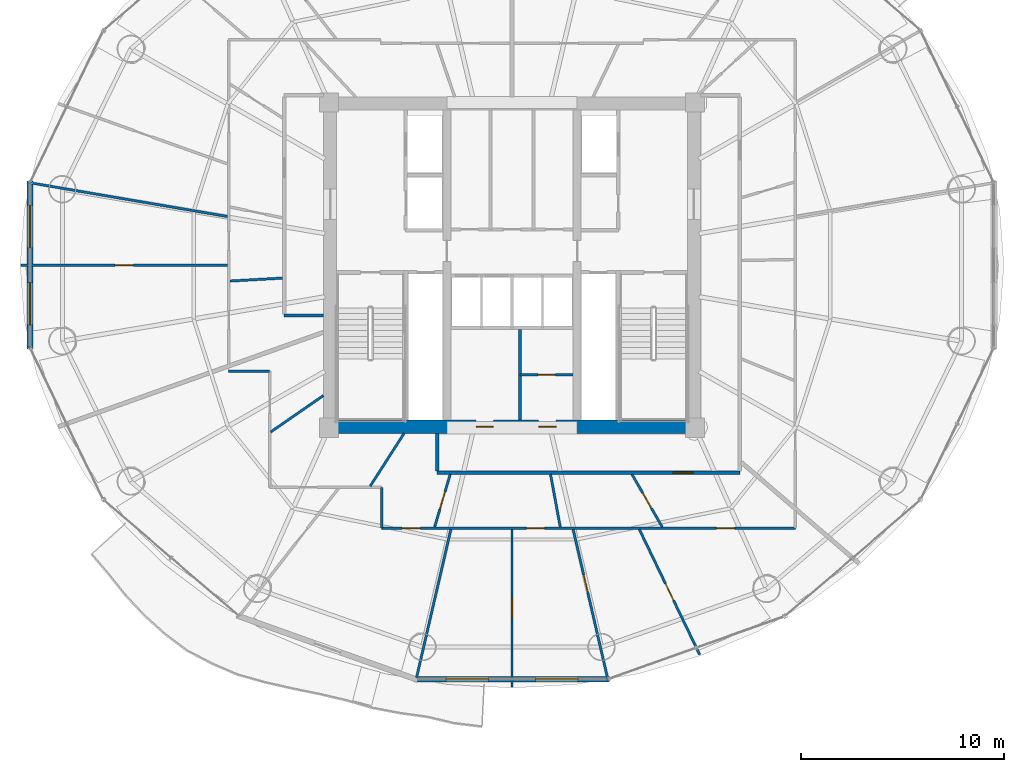
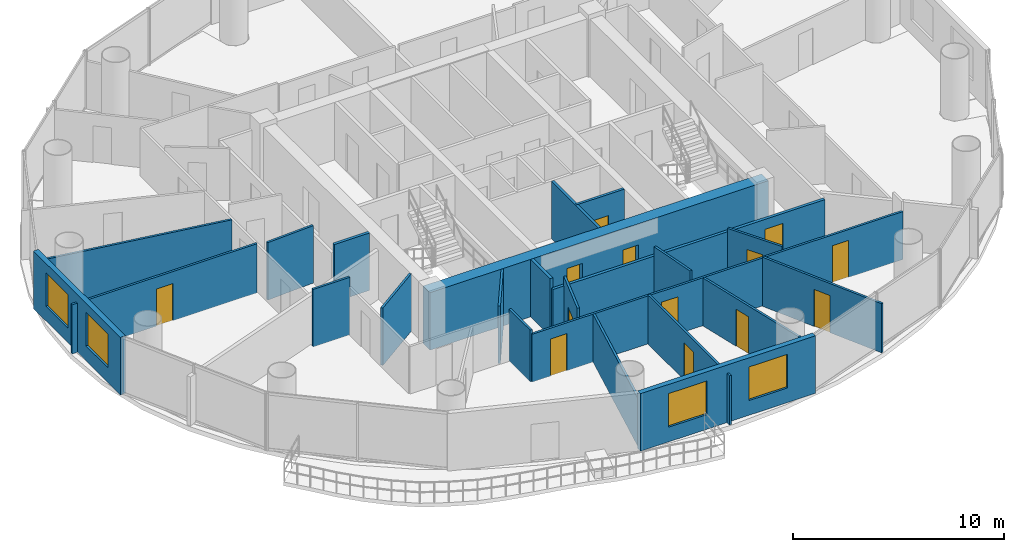
# One storey, part 21 of 27: 23 walls, 13 doors, 4 windows, 17 openings.
"""IFC4 building model written with IfcOpenShell, lengths in metres."""

from ifc_helpers import new_model, si_unit, direction, frame, frame_2d, origin, place, context, subcontext, project, spatial, rectangle, extrude, source, transform, mapped, material, layer, layer_set, type_object, element, fill, save


model = new_model("IFC4")

# Units and contexts
model_context = context("Model", 3, precision=1e-05, world=origin(), true_north=direction((-0.2419218956, 0.970295726276)))
body_context = subcontext(model_context, "Body", "Model", "MODEL_VIEW")
ifc_project = project(units=[si_unit("LENGTHUNIT", "METRE"), si_unit("AREAUNIT", "SQUARE_METRE"), si_unit("VOLUMEUNIT", "CUBIC_METRE"), si_unit("PLANEANGLEUNIT", "RADIAN"), si_unit("MASSUNIT", "GRAM", prefix="KILO")], contexts=[model_context])

# Site, building, storey
site_placement = place(None, origin())
site = spatial("IfcSite", under=ifc_project, at=site_placement, CompositionType="ELEMENT")
building_placement = place(site_placement, origin())
building = spatial("IfcBuilding", under=site, at=building_placement, Name="Cobrevalo Terracotta Tower", CompositionType="ELEMENT")
storey_placement = place(building_placement, frame((0.0, 0.0, 153.39990234375)))
storey = spatial("IfcBuildingStorey", under=building, at=storey_placement, Name="L40", CompositionType="ELEMENT", Elevation=153.39990234375)

# Wall, openings, doors
ifc_material_1 = material(Name="Concrete C55", Category="concrete")
ifc_layer_1 = layer(ifc_material_1, 0.64990234375)
ifc_layer_set_1 = layer_set([ifc_layer_1], Name="Concrete C55")
wall_type_1 = type_object("IfcWallType", Name="Core shear wall 650 mm Concrete C55", PredefinedType="SHEAR", material=ifc_layer_set_1)
wall_1_placement = place(storey_placement, frame((28.72509765625, 18.85009765625, 0.0), z_axis=(0.0, 0.0, 1.0), x_axis=(1.0, 0.0, 0.0)))
wall_1 = element("IfcWall", 1, at=wall_1_placement, inside=storey, type_object=wall_type_1, Name="L40 south core shear wall", PredefinedType="SHEAR", context=body_context, shape_type="SweptSolid", body=[
    extrude(rectangle(XDim=18.5498046875, YDim=0.64990234375, at=frame_2d((9.27490234375, 0.0))), origin(), (0.0, 0.0, 1.0), 3.330078125),
])
opening_1_placement = place(wall_1_placement, frame((7.510009765625, 0.0, 0.0)))
opening_1 = element("IfcOpeningElement", 2, at=opening_1_placement, cuts=wall_1, Name="Opening ID-22", PredefinedType="OPENING", context=body_context, shape_type="SweptSolid", body=[
    extrude(rectangle(XDim=0.85009765625, YDim=2.10009765625, at=frame_2d((0.425048828125, 1.050048828125))), frame((0.0, 0.3349609375, 0.0), z_axis=(0.0, -1.0, 0.0), x_axis=(1.0, 0.0, 0.0)), (0.0, 0.0, 1.0), 0.669921875),
])
opening_2_placement = place(wall_1_placement, frame((10.590087890625, 0.0, 0.0)))
opening_2 = element("IfcOpeningElement", 3, at=opening_2_placement, cuts=wall_1, Name="Opening ID-22", PredefinedType="OPENING", context=body_context, shape_type="SweptSolid", body=[
    extrude(rectangle(XDim=0.85009765625, YDim=2.10009765625, at=frame_2d((0.425048828125, 1.050048828125))), frame((0.0, 0.3349609375, 0.0), z_axis=(0.0, -1.0, 0.0), x_axis=(1.0, 0.0, 0.0)), (0.0, 0.0, 1.0), 0.669921875),
])
ifc_material_2 = material(Name="Powder-coated steel", Category="steel")
door_type_1 = type_object("IfcDoorType", Name="Riser shaft & meter closet fire access door 850x2100 EI 60", OperationType="NOTDEFINED", PredefinedType="DOOR", material=ifc_material_2)
shared_shape_1 = source(origin(), body_context, "Body", "SweptSolid", [
    extrude(rectangle(XDim=0.85009765625, YDim=2.10009765625, at=frame_2d((0.425048828125, 1.050048828125))), frame((0.0, 0.02490234375, 0.0), z_axis=(0.0, -1.0, 0.0), x_axis=(1.0, 0.0, 0.0)), (0.0, 0.0, 1.0), 0.050048828125),
])
door_1_placement = place(opening_1_placement, origin())
door_1 = element("IfcDoor", 4, at=door_1_placement, inside=storey, type_object=door_type_1, Name="L40 core south plant door Floor AHU Mechanical Plant", OperationType="SINGLE_SWING_RIGHT", OverallHeight=2.10009765625, OverallWidth=0.85009765625, PredefinedType="DOOR", context=body_context, shape_type="MappedRepresentation", body=[
    mapped(shared_shape_1, transform((0.0, 0.0, 0.0), scale=1.0)),
])
fill(opening_1, door_1)
door_2_placement = place(opening_2_placement, origin())
door_2 = element("IfcDoor", 5, at=door_2_placement, inside=storey, type_object=door_type_1, Name="L40 core south plant door Sprinkler Valve Plant", OperationType="SINGLE_SWING_RIGHT", OverallHeight=2.10009765625, OverallWidth=0.85009765625, PredefinedType="DOOR", context=body_context, shape_type="MappedRepresentation", body=[
    mapped(shared_shape_1, transform((0.0, 0.0, 0.0), scale=1.0)),
])
fill(opening_2, door_2)

# Wall
ifc_material_3 = material(Name="Gypsum board on steel stud", Category="steel")
ifc_layer_2 = layer(ifc_material_3, 0.159912109375)
ifc_layer_set_2 = layer_set([ifc_layer_2], Name="Gypsum board on steel stud")
wall_type_2 = type_object("IfcWallType", Name="Fire-rated corridor acoustic partition wall 160 mm", PredefinedType="PARTITIONING", material=ifc_layer_set_2)
wall_2_placement = place(storey_placement, frame((26.794921875, 24.320068359375, 0.0), z_axis=(0.0, 0.0, 1.0), x_axis=(1.0, 0.0, 0.0)))
element("IfcWall", 6, at=wall_2_placement, inside=storey, type_object=wall_type_2, Name="L40 interior partition IW-L40-COR-WS-CAP", PredefinedType="PARTITIONING", context=body_context, shape_type="SweptSolid", body=[
    extrude(rectangle(XDim=1.93017578125, YDim=0.159912109375, at=frame_2d((0.965087890625, 0.0))), origin(), (0.0, 0.0, 1.0), 3.330078125),
])

# Wall, opening, door
wall_3_placement = place(storey_placement, frame((34.320068359375, 16.594970703125, 0.0), z_axis=(0.0, 0.0, 1.0), x_axis=(1.0, 0.0, 0.0)))
wall_3 = element("IfcWall", 7, at=wall_3_placement, inside=storey, type_object=wall_type_2, Name="L40 interior partition IW-L40-COR-S", PredefinedType="PARTITIONING", context=body_context, shape_type="SweptSolid", body=[
    extrude(rectangle(XDim=14.885009765625, YDim=0.159912109375, at=frame_2d((7.4423828125, 0.0))), origin(), (0.0, 0.0, 1.0), 2.776123046875),
])
opening_3_placement = place(wall_3_placement, frame((11.60888671875, 0.0, 0.0)))
opening_3 = element("IfcOpeningElement", 8, at=opening_3_placement, cuts=wall_3, Name="Opening ID-05", PredefinedType="OPENING", context=body_context, shape_type="SweptSolid", body=[
    extrude(rectangle(XDim=0.97998046875, YDim=2.199951171875, at=frame_2d((0.489990234375, 1.10009765625))), frame((0.0, 0.08984375, 0.0), z_axis=(0.0, -1.0, 0.0), x_axis=(1.0, 0.0, 0.0)), (0.0, 0.0, 1.0), 0.179931640625),
])
ifc_material_4 = material(Name="Solid hardwood timber", Category="wood")
door_type_2 = type_object("IfcDoorType", Name="Residence entrance fire-rated acoustic timber door 980x2200 EI 60", OperationType="NOTDEFINED", PredefinedType="DOOR", material=ifc_material_4)
shared_shape_2 = source(origin(), body_context, "Body", "SweptSolid", [
    extrude(rectangle(XDim=0.97998046875, YDim=2.199951171875, at=frame_2d((0.489990234375, 1.10009765625))), frame((0.0, 0.02490234375, 0.0), z_axis=(0.0, -1.0, 0.0), x_axis=(1.0, 0.0, 0.0)), (0.0, 0.0, 1.0), 0.050048828125),
])
door_3_placement = place(opening_3_placement, frame((0.97998046875, 0.0, 0.0), z_axis=(0.0, 0.0, 1.0), x_axis=(-1.0, 0.0, 0.0)))
door_3 = element("IfcDoor", 9, at=door_3_placement, inside=storey, type_object=door_type_2, Name="Flat L40B fire-rated apartment entrance door", OperationType="SINGLE_SWING_LEFT", OverallHeight=2.199951171875, OverallWidth=0.97998046875, PredefinedType="DOOR", context=body_context, shape_type="MappedRepresentation", body=[
    mapped(shared_shape_2, transform((0.0, 0.0, 0.0), scale=1.0)),
])
fill(opening_3, door_3)

# Wall
wall_4_placement = place(storey_placement, frame((34.320068359375, 16.675048828125, 0.0), z_axis=(0.0, 0.0, 1.0), x_axis=(0.0, 1.0, 0.0)))
element("IfcWall", 10, at=wall_4_placement, inside=storey, type_object=wall_type_2, Name="L40 interior partition IW-L40-COR-SW-CAP", PredefinedType="PARTITIONING", context=body_context, shape_type="SweptSolid", body=[
    extrude(rectangle(XDim=1.849853515625, YDim=0.159912109375, at=frame_2d((0.9248046875, 0.0))), origin(), (0.0, 0.0, 1.0), 3.330078125),
])

# Wall, openings, windows
ifc_material_5 = material(Name="Autoclaved aerated concrete block", Category="concrete")
ifc_layer_3 = layer(ifc_material_5, 0.280029296875)
ifc_layer_set_3 = layer_set([ifc_layer_3], Name="Autoclaved aerated concrete block")
wall_type_3 = type_object("IfcWallType", Name="Insulated tower spandrel & pier wall 280 mm with terracotta rainscreen", PredefinedType="SOLIDWALL", material=ifc_layer_set_3)
wall_5_placement = place(storey_placement, frame((14.29443359375, 30.93212890625, 0.0), z_axis=(0.0, 0.0, 1.0), x_axis=(0.0, -1.0, 0.0)))
wall_5 = element("IfcWall", 11, at=wall_5_placement, inside=storey, type_object=wall_type_3, Name="L40 terracotta rainscreen pier wall S08", PredefinedType="SOLIDWALL", context=body_context, shape_type="SweptSolid", body=[
    extrude(rectangle(XDim=8.26416015625, YDim=0.280029296875, at=frame_2d((4.132080078125, 0.0))), origin(), (0.0, 0.0, 1.0), 3.330078125),
])
opening_4_placement = place(wall_5_placement, frame((1.181396484375, 0.0, 0.85009765625)))
opening_4 = element("IfcOpeningElement", 12, at=opening_4_placement, cuts=wall_5, Name="Opening WN-10", PredefinedType="OPENING", context=body_context, shape_type="SweptSolid", body=[
    extrude(rectangle(XDim=2.10009765625, YDim=1.949951171875, at=frame_2d((1.050048828125, 0.97509765625))), frame((0.0, 0.14990234375, 0.0), z_axis=(0.0, -1.0, 0.0), x_axis=(1.0, 0.0, 0.0)), (0.0, 0.0, 1.0), 0.300048828125),
])
opening_5_placement = place(wall_5_placement, frame((4.98291015625, 0.0, 0.85009765625)))
opening_5 = element("IfcOpeningElement", 13, at=opening_5_placement, cuts=wall_5, Name="Opening WN-10", PredefinedType="OPENING", context=body_context, shape_type="SweptSolid", body=[
    extrude(rectangle(XDim=2.10009765625, YDim=1.949951171875, at=frame_2d((1.050048828125, 0.97509765625))), frame((0.0, 0.14990234375, 0.0), z_axis=(0.0, -1.0, 0.0), x_axis=(1.0, 0.0, 0.0)), (0.0, 0.0, 1.0), 0.300048828125),
])
ifc_material_6 = material(Name="Solar-control low-E double glazing", Category="glass")
window_type = type_object("IfcWindowType", Name="Wide panoramic low-E aluminium window 2100x1950", PartitioningType="SINGLE_PANEL", PredefinedType="WINDOW", material=ifc_material_6)
shared_shape_3 = source(origin(), body_context, "Body", "SweptSolid", [
    extrude(rectangle(XDim=2.10009765625, YDim=1.949951171875, at=frame_2d((1.050048828125, 0.97509765625))), frame((0.0, 0.030029296875, 0.0), z_axis=(0.0, -1.0, 0.0), x_axis=(1.0, 0.0, 0.0)), (0.0, 0.0, 1.0), 0.06005859375),
])
window_1_placement = place(opening_4_placement, origin())
window_1 = element("IfcWindow", 14, at=window_1_placement, inside=storey, type_object=window_type, Name="L40 suite window S08A", OverallHeight=1.949951171875, OverallWidth=2.10009765625, PartitioningType="SINGLE_PANEL", PredefinedType="WINDOW", context=body_context, shape_type="MappedRepresentation", body=[
    mapped(shared_shape_3, transform((0.0, 0.0, 0.0), scale=1.0)),
])
fill(opening_4, window_1)
window_2_placement = place(opening_5_placement, origin())
window_2 = element("IfcWindow", 15, at=window_2_placement, inside=storey, type_object=window_type, Name="L40 suite window S08B", OverallHeight=1.949951171875, OverallWidth=2.10009765625, PartitioningType="SINGLE_PANEL", PredefinedType="WINDOW", context=body_context, shape_type="MappedRepresentation", body=[
    mapped(shared_shape_3, transform((0.0, 0.0, 0.0), scale=1.0)),
])
fill(opening_5, window_2)

wall_6_placement = place(storey_placement, frame((33.20458984375, 6.42919921875, 0.0), z_axis=(0.0, 0.0, 1.0), x_axis=(1.0, 0.0, 0.0)))
wall_6 = element("IfcWall", 16, at=wall_6_placement, inside=storey, type_object=wall_type_3, Name="L40 terracotta rainscreen pier wall S12", PredefinedType="SOLIDWALL", context=body_context, shape_type="SweptSolid", body=[
    extrude(rectangle(XDim=9.5908203125, YDim=0.280029296875, at=frame_2d((4.79541015625, 0.0))), origin(), (0.0, 0.0, 1.0), 3.330078125),
])
opening_6_placement = place(wall_6_placement, frame((1.53955078125, 0.0, 0.85009765625)))
opening_6 = element("IfcOpeningElement", 17, at=opening_6_placement, cuts=wall_6, Name="Opening WN-10", PredefinedType="OPENING", context=body_context, shape_type="SweptSolid", body=[
    extrude(rectangle(XDim=2.10009765625, YDim=1.949951171875, at=frame_2d((1.050048828125, 0.97509765625))), frame((0.0, 0.14990234375, 0.0), z_axis=(0.0, -1.0, 0.0), x_axis=(1.0, 0.0, 0.0)), (0.0, 0.0, 1.0), 0.300048828125),
])
opening_7_placement = place(wall_6_placement, frame((5.951171875, 0.0, 0.85009765625)))
opening_7 = element("IfcOpeningElement", 18, at=opening_7_placement, cuts=wall_6, Name="Opening WN-10", PredefinedType="OPENING", context=body_context, shape_type="SweptSolid", body=[
    extrude(rectangle(XDim=2.10009765625, YDim=1.949951171875, at=frame_2d((1.050048828125, 0.97509765625))), frame((0.0, 0.14990234375, 0.0), z_axis=(0.0, -1.0, 0.0), x_axis=(1.0, 0.0, 0.0)), (0.0, 0.0, 1.0), 0.300048828125),
])
window_3_placement = place(opening_6_placement, origin())
window_3 = element("IfcWindow", 19, at=window_3_placement, inside=storey, type_object=window_type, Name="L40 suite window S12A", OverallHeight=1.949951171875, OverallWidth=2.10009765625, PartitioningType="SINGLE_PANEL", PredefinedType="WINDOW", context=body_context, shape_type="MappedRepresentation", body=[
    mapped(shared_shape_3, transform((0.0, 0.0, 0.0), scale=1.0)),
])
fill(opening_6, window_3)
window_4_placement = place(opening_7_placement, origin())
window_4 = element("IfcWindow", 20, at=window_4_placement, inside=storey, type_object=window_type, Name="L40 suite window S12B", OverallHeight=1.949951171875, OverallWidth=2.10009765625, PartitioningType="SINGLE_PANEL", PredefinedType="WINDOW", context=body_context, shape_type="MappedRepresentation", body=[
    mapped(shared_shape_3, transform((0.0, 0.0, 0.0), scale=1.0)),
])
fill(opening_7, window_4)

# Wall
ifc_layer_4 = layer(ifc_material_5, 0.139892578125)
ifc_layer_set_4 = layer_set([ifc_layer_4], Name="Autoclaved aerated concrete block")
wall_type_4 = type_object("IfcWallType", Name="Moisture-resistant wet-room & core service partition 140 mm", PredefinedType="PARTITIONING", material=ifc_layer_set_4)
wall_7_placement = place(storey_placement, frame((38.39990234375, 19.175048828125, 0.0), z_axis=(0.0, 0.0, 1.0), x_axis=(0.0, 1.0, 0.0)))
element("IfcWall", 21, at=wall_7_placement, inside=storey, type_object=wall_type_4, Name="L40 interior partition IW-L40-KVS-L1", PredefinedType="PARTITIONING", context=body_context, shape_type="SweptSolid", body=[
    extrude(rectangle(XDim=4.46484375, YDim=0.139892578125, at=frame_2d((2.232421875, 0.0))), origin(), (0.0, 0.0, 1.0), 3.330078125),
])

# Wall, opening, door
wall_8_placement = place(storey_placement, frame((38.39990234375, 21.407470703125, 0.0), z_axis=(0.0, 0.0, 1.0), x_axis=(1.0, 0.0, 0.0)))
wall_8 = element("IfcWall", 22, at=wall_8_placement, inside=storey, type_object=wall_type_4, Name="L40 interior partition IW-L40-KVS-L2", PredefinedType="PARTITIONING", context=body_context, shape_type="SweptSolid", body=[
    extrude(rectangle(XDim=2.610107421875, YDim=0.139892578125, at=frame_2d((1.30517578125, 0.0))), origin(), (0.0, 0.0, 1.0), 3.330078125),
])
opening_8_placement = place(wall_8_placement, frame((0.8798828125, 0.0, 0.0)))
opening_8 = element("IfcOpeningElement", 23, at=opening_8_placement, cuts=wall_8, Name="Opening ID-22", PredefinedType="OPENING", context=body_context, shape_type="SweptSolid", body=[
    extrude(rectangle(XDim=0.85009765625, YDim=2.10009765625, at=frame_2d((0.425048828125, 1.050048828125))), frame((0.0, 0.080078125, 0.0), z_axis=(0.0, -1.0, 0.0), x_axis=(1.0, 0.0, 0.0)), (0.0, 0.0, 1.0), 0.159912109375),
])
door_4_placement = place(opening_8_placement, origin())
door_4 = element("IfcDoor", 24, at=door_4_placement, inside=storey, type_object=door_type_1, Name="L40 core KVS-L2 inner door", OperationType="SINGLE_SWING_LEFT", OverallHeight=2.10009765625, OverallWidth=0.85009765625, PredefinedType="DOOR", context=body_context, shape_type="MappedRepresentation", body=[
    mapped(shared_shape_1, transform((0.0, 0.0, 0.0), scale=1.0)),
])
fill(opening_8, door_4)

# Wall
ifc_layer_5 = layer(ifc_material_3, 0.1201171875)
ifc_layer_set_5 = layer_set([ifc_layer_5], Name="Gypsum board on steel stud")
wall_type_5 = type_object("IfcWallType", Name="Residential internal acoustic stud partition 120 mm", PredefinedType="PARTITIONING", material=ifc_layer_set_5)
wall_9_placement = place(storey_placement, frame((24.00390625, 29.19287109375, 0.0), z_axis=(0.0, 0.0, 1.0), x_axis=(-0.985698378271, 0.168519159369, 0.0)))
element("IfcWall", 25, at=wall_9_placement, inside=storey, type_object=wall_type_5, Name="L40 interior partition IW-L40-U1-ORAD3M1", PredefinedType="PARTITIONING", context=body_context, shape_type="SweptSolid", body=[
    extrude(rectangle(XDim=9.768798828125, YDim=0.1201171875, at=frame_2d((4.88427734375, 0.0))), origin(), (0.0, 0.0, 1.0), 2.776123046875),
])

# Wall, opening, door
wall_10_placement = place(storey_placement, frame((24.0029296875, 26.800048828125, 0.0), z_axis=(0.0, 0.0, 1.0), x_axis=(-1.0, 0.0, 0.0)))
wall_10 = element("IfcWall", 26, at=wall_10_placement, inside=storey, type_object=wall_type_5, Name="L40 interior partition IW-L40-U1-ORAD3", PredefinedType="PARTITIONING", context=body_context, shape_type="SweptSolid", body=[
    extrude(rectangle(XDim=10.142822265625, YDim=0.1201171875, at=frame_2d((5.0712890625, 0.0))), origin(), (0.0, 0.0, 1.0), 2.84619140625),
])
opening_9_placement = place(wall_10_placement, frame((4.62158203125, 0.0, 0.0)))
opening_9 = element("IfcOpeningElement", 27, at=opening_9_placement, cuts=wall_10, Name="Opening ID-12", PredefinedType="OPENING", context=body_context, shape_type="SweptSolid", body=[
    extrude(rectangle(XDim=0.89990234375, YDim=2.14990234375, at=frame_2d((0.449951171875, 1.074951171875))), frame((0.0, 0.070068359375, 0.0), z_axis=(0.0, -1.0, 0.0), x_axis=(1.0, 0.0, 0.0)), (0.0, 0.0, 1.0), 0.14013671875),
])
ifc_material_7 = material(Name="Engineered timber", Category="wood")
door_type_3 = type_object("IfcDoorType", Name="Internal residence & suite timber door 900x2150", OperationType="NOTDEFINED", PredefinedType="DOOR", material=ifc_material_7)
shared_shape_4 = source(origin(), body_context, "Body", "SweptSolid", [
    extrude(rectangle(XDim=0.89990234375, YDim=2.14990234375, at=frame_2d((0.449951171875, 1.074951171875))), frame((0.0, 0.02490234375, 0.0), z_axis=(0.0, -1.0, 0.0), x_axis=(1.0, 0.0, 0.0)), (0.0, 0.0, 1.0), 0.050048828125),
])
door_5_placement = place(opening_9_placement, origin())
door_5 = element("IfcDoor", 28, at=door_5_placement, inside=storey, type_object=door_type_3, Name="Flat L40A Penthouse Family Lounge internal door", OperationType="SINGLE_SWING_LEFT", OverallHeight=2.14990234375, OverallWidth=0.89990234375, PredefinedType="DOOR", context=body_context, shape_type="MappedRepresentation", body=[
    mapped(shared_shape_4, transform((0.0, 0.0, 0.0), scale=1.0)),
])
fill(opening_9, door_5)

# Wall
wall_11_placement = place(storey_placement, frame((26.715087890625, 26.164306640625, 0.0), z_axis=(0.0, 0.0, 1.0), x_axis=(-0.998418047295, -0.056226353574, 0.0)))
element("IfcWall", 29, at=wall_11_placement, inside=storey, type_object=wall_type_5, Name="L40 interior partition IW-L40-U1-IRAD5", PredefinedType="PARTITIONING", context=body_context, shape_type="SweptSolid", body=[
    extrude(rectangle(XDim=2.59228515625, YDim=0.1201171875, at=frame_2d((1.296142578125, 0.0))), origin(), (0.0, 0.0, 1.0), 3.330078125),
])

# Wall, openings, doors
wall_12_placement = place(storey_placement, frame((51.93505859375, 13.864990234375, 0.0), z_axis=(0.0, 0.0, 1.0), x_axis=(-1.0, 0.0, 0.0)))
wall_12 = element("IfcWall", 30, at=wall_12_placement, inside=storey, type_object=wall_type_5, Name="L40 interior partition IW-L40-U2-RING1_0", PredefinedType="PARTITIONING", context=body_context, shape_type="SweptSolid", body=[
    extrude(rectangle(XDim=20.344970703125, YDim=0.1201171875, at=frame_2d((10.17236328125, 0.0))), origin(), (0.0, 0.0, 1.0), 2.776123046875),
])
opening_10_placement = place(wall_12_placement, frame((2.985107421875, 0.0, 0.0)))
opening_10 = element("IfcOpeningElement", 31, at=opening_10_placement, cuts=wall_12, Name="Opening ID-12", PredefinedType="OPENING", context=body_context, shape_type="SweptSolid", body=[
    extrude(rectangle(XDim=0.89990234375, YDim=2.14990234375, at=frame_2d((0.449951171875, 1.074951171875))), frame((0.0, 0.070068359375, 0.0), z_axis=(0.0, -1.0, 0.0), x_axis=(1.0, 0.0, 0.0)), (0.0, 0.0, 1.0), 0.14013671875),
])
opening_11_placement = place(wall_12_placement, frame((12.333251953125, 0.0, 0.0)))
opening_11 = element("IfcOpeningElement", 32, at=opening_11_placement, cuts=wall_12, Name="Opening ID-12", PredefinedType="OPENING", context=body_context, shape_type="SweptSolid", body=[
    extrude(rectangle(XDim=0.89990234375, YDim=2.14990234375, at=frame_2d((0.449951171875, 1.074951171875))), frame((0.0, 0.070068359375, 0.0), z_axis=(0.0, -1.0, 0.0), x_axis=(1.0, 0.0, 0.0)), (0.0, 0.0, 1.0), 0.14013671875),
])
opening_12_placement = place(wall_12_placement, frame((18.435791015625, 0.0, 0.0)))
opening_12 = element("IfcOpeningElement", 33, at=opening_12_placement, cuts=wall_12, Name="Opening ID-12", PredefinedType="OPENING", context=body_context, shape_type="SweptSolid", body=[
    extrude(rectangle(XDim=0.89990234375, YDim=2.14990234375, at=frame_2d((0.449951171875, 1.074951171875))), frame((0.0, 0.070068359375, 0.0), z_axis=(0.0, -1.0, 0.0), x_axis=(1.0, 0.0, 0.0)), (0.0, 0.0, 1.0), 0.14013671875),
])
door_6_placement = place(opening_10_placement, origin())
door_6 = element("IfcDoor", 34, at=door_6_placement, inside=storey, type_object=door_type_3, Name="Flat L40B Penthouse Family Lounge internal door", OperationType="SINGLE_SWING_LEFT", OverallHeight=2.14990234375, OverallWidth=0.89990234375, PredefinedType="DOOR", context=body_context, shape_type="MappedRepresentation", body=[
    mapped(shared_shape_4, transform((0.0, 0.0, 0.0), scale=1.0)),
])
fill(opening_10, door_6)
door_7_placement = place(opening_11_placement, frame((0.89990234375, 0.0, 0.0), z_axis=(0.0, 0.0, 1.0), x_axis=(-1.0, 0.0, 0.0)))
door_7 = element("IfcDoor", 35, at=door_7_placement, inside=storey, type_object=door_type_3, Name="Flat L40B Kitchen internal door", OperationType="SINGLE_SWING_RIGHT", OverallHeight=2.14990234375, OverallWidth=0.89990234375, PredefinedType="DOOR", context=body_context, shape_type="MappedRepresentation", body=[
    mapped(shared_shape_4, transform((0.0, 0.0, 0.0), scale=1.0)),
])
fill(opening_11, door_7)
door_8_placement = place(opening_12_placement, origin())
door_8 = element("IfcDoor", 36, at=door_8_placement, inside=storey, type_object=door_type_3, Name="Flat L40B Master Bedroom internal door", OperationType="SINGLE_SWING_RIGHT", OverallHeight=2.14990234375, OverallWidth=0.89990234375, PredefinedType="DOOR", context=body_context, shape_type="MappedRepresentation", body=[
    mapped(shared_shape_4, transform((0.0, 0.0, 0.0), scale=1.0)),
])
fill(opening_12, door_8)

# Walls
wall_13_placement = place(storey_placement, frame((31.590087890625, 13.864990234375, 0.0), z_axis=(0.0, 0.0, 1.0), x_axis=(0.0, 1.0, 0.0)))
element("IfcWall", 37, at=wall_13_placement, inside=storey, type_object=wall_type_5, Name="L40 interior partition IW-L40-U2-RING2_0", PredefinedType="PARTITIONING", context=body_context, shape_type="SweptSolid", body=[
    extrude(rectangle(XDim=2.010009765625, YDim=0.1201171875, at=frame_2d((1.0048828125, 0.0))), origin(), (0.0, 0.0, 1.0), 3.005126953125),
])
wall_14_placement = place(storey_placement, frame((26.074951171875, 21.590087890625, 0.0), z_axis=(0.0, 0.0, 1.0), x_axis=(-1.0, 0.0, 0.0)))
element("IfcWall", 38, at=wall_14_placement, inside=storey, type_object=wall_type_5, Name="L40 interior partition IW-L40-U2-RING5_0", PredefinedType="PARTITIONING", context=body_context, shape_type="SweptSolid", body=[
    extrude(rectangle(XDim=2.010009765625, YDim=0.1201171875, at=frame_2d((1.0048828125, 0.0))), origin(), (0.0, 0.0, 1.0), 3.330078125),
])
wall_15_placement = place(storey_placement, frame((34.992431640625, 13.8046875, 0.0), z_axis=(0.0, 0.0, 1.0), x_axis=(-0.225447000045, -0.974255433739, 0.0)))
element("IfcWall", 39, at=wall_15_placement, inside=storey, type_object=wall_type_5, Name="L40 interior partition IW-L40-U2-ORAD2M1", PredefinedType="PARTITIONING", context=body_context, shape_type="SweptSolid", body=[
    extrude(rectangle(XDim=7.495849609375, YDim=0.1201171875, at=frame_2d((3.748046875, 0.0))), origin(), (0.0, 0.0, 1.0), 2.776123046875),
])

# Wall, opening, door
wall_16_placement = place(storey_placement, frame((38.0, 13.802978515625, 0.0), z_axis=(0.0, 0.0, 1.0), x_axis=(0.0, -1.0, 0.0)))
wall_16 = element("IfcWall", 40, at=wall_16_placement, inside=storey, type_object=wall_type_5, Name="L40 interior partition IW-L40-U2-ORAD2", PredefinedType="PARTITIONING", context=body_context, shape_type="SweptSolid", body=[
    extrude(rectangle(XDim=7.742919921875, YDim=0.1201171875, at=frame_2d((3.87158203125, 0.0))), origin(), (0.0, 0.0, 1.0), 2.84619140625),
])
opening_13_placement = place(wall_16_placement, frame((3.42138671875, 0.0, 0.0)))
opening_13 = element("IfcOpeningElement", 41, at=opening_13_placement, cuts=wall_16, Name="Opening ID-12", PredefinedType="OPENING", context=body_context, shape_type="SweptSolid", body=[
    extrude(rectangle(XDim=0.89990234375, YDim=2.14990234375, at=frame_2d((0.449951171875, 1.074951171875))), frame((0.0, 0.070068359375, 0.0), z_axis=(0.0, -1.0, 0.0), x_axis=(1.0, 0.0, 0.0)), (0.0, 0.0, 1.0), 0.14013671875),
])
door_9_placement = place(opening_13_placement, frame((0.89990234375, 0.0, 0.0), z_axis=(0.0, 0.0, 1.0), x_axis=(-1.0, 0.0, 0.0)))
door_9 = element("IfcDoor", 42, at=door_9_placement, inside=storey, type_object=door_type_3, Name="Flat L40B Principal Guest Bedroom internal door", OperationType="SINGLE_SWING_LEFT", OverallHeight=2.14990234375, OverallWidth=0.89990234375, PredefinedType="DOOR", context=body_context, shape_type="MappedRepresentation", body=[
    mapped(shared_shape_4, transform((0.0, 0.0, 0.0), scale=1.0)),
])
fill(opening_13, door_9)

wall_17_placement = place(storey_placement, frame((41.007568359375, 13.8046875, 0.0), z_axis=(0.0, 0.0, 1.0), x_axis=(0.225447000045, -0.974255433739, 0.0)))
wall_17 = element("IfcWall", 43, at=wall_17_placement, inside=storey, type_object=wall_type_5, Name="L40 interior partition IW-L40-U2-ORAD3M1", PredefinedType="PARTITIONING", context=body_context, shape_type="SweptSolid", body=[
    extrude(rectangle(XDim=7.495849609375, YDim=0.1201171875, at=frame_2d((3.748046875, 0.0))), origin(), (0.0, 0.0, 1.0), 2.776123046875),
])
opening_14_placement = place(wall_17_placement, frame((2.288818359375, 0.0, 0.0)))
opening_14 = element("IfcOpeningElement", 44, at=opening_14_placement, cuts=wall_17, Name="Opening ID-12", PredefinedType="OPENING", context=body_context, shape_type="SweptSolid", body=[
    extrude(rectangle(XDim=0.89990234375, YDim=2.14990234375, at=frame_2d((0.449951171875, 1.074951171875))), frame((0.0, 0.070068359375, 0.0), z_axis=(0.0, -1.0, 0.0), x_axis=(1.0, 0.0, 0.0)), (0.0, 0.0, 1.0), 0.14013671875),
])
door_10_placement = place(opening_14_placement, frame((0.89990234375, 0.0, 0.0), z_axis=(0.0, 0.0, 1.0), x_axis=(-1.0, 0.0, 0.0)))
door_10 = element("IfcDoor", 45, at=door_10_placement, inside=storey, type_object=door_type_3, Name="Flat L40B North Bedroom internal door", OperationType="SINGLE_SWING_LEFT", OverallHeight=2.14990234375, OverallWidth=0.89990234375, PredefinedType="DOOR", context=body_context, shape_type="MappedRepresentation", body=[
    mapped(shared_shape_4, transform((0.0, 0.0, 0.0), scale=1.0)),
])
fill(opening_14, door_10)

wall_18_placement = place(storey_placement, frame((44.260498046875, 13.80908203125, 0.0), z_axis=(0.0, 0.0, 1.0), x_axis=(0.434162832987, -0.900834410118, 0.0)))
wall_18 = element("IfcWall", 46, at=wall_18_placement, inside=storey, type_object=wall_type_5, Name="L40 interior partition IW-L40-U2-ORAD3", PredefinedType="PARTITIONING", context=body_context, shape_type="SweptSolid", body=[
    extrude(rectangle(XDim=6.84912109375, YDim=0.1201171875, at=frame_2d((3.424560546875, 0.0))), origin(), (0.0, 0.0, 1.0), 2.84619140625),
])
opening_15_placement = place(wall_18_placement, frame((2.974609375, 0.0, 0.0)))
opening_15 = element("IfcOpeningElement", 47, at=opening_15_placement, cuts=wall_18, Name="Opening ID-12", PredefinedType="OPENING", context=body_context, shape_type="SweptSolid", body=[
    extrude(rectangle(XDim=0.89990234375, YDim=2.14990234375, at=frame_2d((0.449951171875, 1.074951171875))), frame((0.0, 0.070068359375, 0.0), z_axis=(0.0, -1.0, 0.0), x_axis=(1.0, 0.0, 0.0)), (0.0, 0.0, 1.0), 0.14013671875),
])
door_11_placement = place(opening_15_placement, frame((0.89990234375, 0.0, 0.0), z_axis=(0.0, 0.0, 1.0), x_axis=(-1.0, 0.0, 0.0)))
door_11 = element("IfcDoor", 48, at=door_11_placement, inside=storey, type_object=door_type_3, Name="Flat L40B Penthouse Family Lounge internal door", OperationType="SINGLE_SWING_RIGHT", OverallHeight=2.14990234375, OverallWidth=0.89990234375, PredefinedType="DOOR", context=body_context, shape_type="MappedRepresentation", body=[
    mapped(shared_shape_4, transform((0.0, 0.0, 0.0), scale=1.0)),
])
fill(opening_15, door_11)

# Walls
wall_19_placement = place(storey_placement, frame((28.723388671875, 20.386474609375, 0.0), z_axis=(0.0, 0.0, 1.0), x_axis=(-0.822570551556, -0.568663070467, 0.0)))
element("IfcWall", 49, at=wall_19_placement, inside=storey, type_object=wall_type_5, Name="L40 interior partition IW-L40-U2-IRAD1", PredefinedType="PARTITIONING", context=body_context, shape_type="SweptSolid", body=[
    extrude(rectangle(XDim=3.15771484375, YDim=0.1201171875, at=frame_2d((1.578857421875, 0.0))), origin(), (0.0, 0.0, 1.0), 3.330078125),
])
wall_20_placement = place(storey_placement, frame((32.690673828125, 18.52490234375, 0.0), z_axis=(0.0, 0.0, 1.0), x_axis=(-0.54002976428, -0.841645919429, 0.0)))
element("IfcWall", 50, at=wall_20_placement, inside=storey, type_object=wall_type_5, Name="L40 interior partition IW-L40-U2-IRAD2", PredefinedType="PARTITIONING", context=body_context, shape_type="SweptSolid", body=[
    extrude(rectangle(XDim=3.08642578125, YDim=0.1201171875, at=frame_2d((1.543212890625, 0.0))), origin(), (0.0, 0.0, 1.0), 3.330078125),
])

# Wall, opening, door
wall_21_placement = place(storey_placement, frame((34.9609375, 16.514892578125, 0.0), z_axis=(0.0, 0.0, 1.0), x_axis=(-0.283365034326, -0.959012125743, 0.0)))
wall_21 = element("IfcWall", 51, at=wall_21_placement, inside=storey, type_object=wall_type_5, Name="L40 interior partition IW-L40-U2-IRAD3", PredefinedType="PARTITIONING", context=body_context, shape_type="SweptSolid", body=[
    extrude(rectangle(XDim=2.700927734375, YDim=0.1201171875, at=frame_2d((1.3505859375, 0.0))), origin(), (0.0, 0.0, 1.0), 3.330078125),
])
opening_16_placement = place(wall_21_placement, frame((0.900634765625, 0.0, 0.0)))
opening_16 = element("IfcOpeningElement", 52, at=opening_16_placement, cuts=wall_21, Name="Opening ID-12", PredefinedType="OPENING", context=body_context, shape_type="SweptSolid", body=[
    extrude(rectangle(XDim=0.89990234375, YDim=2.14990234375, at=frame_2d((0.449951171875, 1.074951171875))), frame((0.0, 0.070068359375, 0.0), z_axis=(0.0, -1.0, 0.0), x_axis=(1.0, 0.0, 0.0)), (0.0, 0.0, 1.0), 0.14013671875),
])
door_12_placement = place(opening_16_placement, frame((0.89990234375, 0.0, 0.0), z_axis=(0.0, 0.0, 1.0), x_axis=(-1.0, 0.0, 0.0)))
door_12 = element("IfcDoor", 53, at=door_12_placement, inside=storey, type_object=door_type_3, Name="Flat L40B Utility Closet internal door", OperationType="SINGLE_SWING_LEFT", OverallHeight=2.14990234375, OverallWidth=0.89990234375, PredefinedType="DOOR", context=body_context, shape_type="MappedRepresentation", body=[
    mapped(shared_shape_4, transform((0.0, 0.0, 0.0), scale=1.0)),
])
fill(opening_16, door_12)

# Wall
wall_22_placement = place(storey_placement, frame((39.895263671875, 16.514892578125, 0.0), z_axis=(0.0, 0.0, 1.0), x_axis=(0.181219081065, -0.983442751083, 0.0)))
element("IfcWall", 54, at=wall_22_placement, inside=storey, type_object=wall_type_5, Name="L40 interior partition IW-L40-U2-IRAD4", PredefinedType="PARTITIONING", context=body_context, shape_type="SweptSolid", body=[
    extrude(rectangle(XDim=2.632568359375, YDim=0.1201171875, at=frame_2d((1.31640625, 0.0))), origin(), (0.0, 0.0, 1.0), 3.330078125),
])

# Wall, opening, door
wall_23_placement = place(storey_placement, frame((43.901123046875, 16.514892578125, 0.0), z_axis=(0.0, 0.0, 1.0), x_axis=(0.497640283609, -0.86738350695, 0.0)))
wall_23 = element("IfcWall", 55, at=wall_23_placement, inside=storey, type_object=wall_type_5, Name="L40 interior partition IW-L40-U2-IRAD5", PredefinedType="PARTITIONING", context=body_context, shape_type="SweptSolid", body=[
    extrude(rectangle(XDim=2.9931640625, YDim=0.1201171875, at=frame_2d((1.49658203125, 0.0))), origin(), (0.0, 0.0, 1.0), 3.005126953125),
])
opening_17_placement = place(wall_23_placement, frame((1.066650390625, 0.0, 0.0)))
opening_17 = element("IfcOpeningElement", 56, at=opening_17_placement, cuts=wall_23, Name="Opening ID-19", PredefinedType="OPENING", context=body_context, shape_type="SweptSolid", body=[
    extrude(rectangle(XDim=0.860107421875, YDim=2.14990234375, at=frame_2d((0.43017578125, 1.074951171875))), frame((0.0, 0.070068359375, 0.0), z_axis=(0.0, -1.0, 0.0), x_axis=(1.0, 0.0, 0.0)), (0.0, 0.0, 1.0), 0.14013671875),
])
ifc_material_8 = material(Name="Moisture-sealed timber", Category="wood")
door_type_4 = type_object("IfcDoorType", Name="Suite bathroom internal timber door 860x2150", OperationType="NOTDEFINED", PredefinedType="DOOR", material=ifc_material_8)
shared_shape_5 = source(origin(), body_context, "Body", "SweptSolid", [
    extrude(rectangle(XDim=0.860107421875, YDim=2.14990234375, at=frame_2d((0.43017578125, 1.074951171875))), frame((0.0, 0.02490234375, 0.0), z_axis=(0.0, -1.0, 0.0), x_axis=(1.0, 0.0, 0.0)), (0.0, 0.0, 1.0), 0.050048828125),
])
door_13_placement = place(opening_17_placement, frame((0.860107421875, 0.0, 0.0), z_axis=(0.0, 0.0, 1.0), x_axis=(-1.0, 0.0, 0.0)))
door_13 = element("IfcDoor", 57, at=door_13_placement, inside=storey, type_object=door_type_4, Name="Flat L40B Primary Bathroom internal door", OperationType="SINGLE_SWING_RIGHT", OverallHeight=2.14990234375, OverallWidth=0.860107421875, PredefinedType="DOOR", context=body_context, shape_type="MappedRepresentation", body=[
    mapped(shared_shape_5, transform((0.0, 0.0, 0.0), scale=1.0)),
])
fill(opening_17, door_13)

save(model, "model.ifc")
